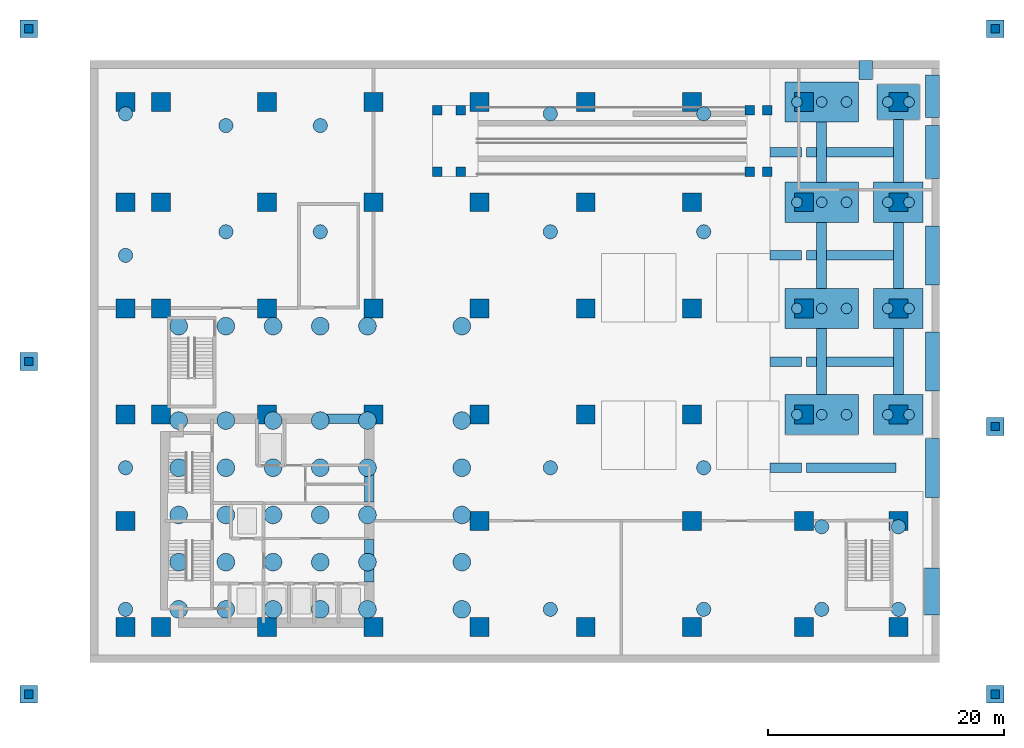
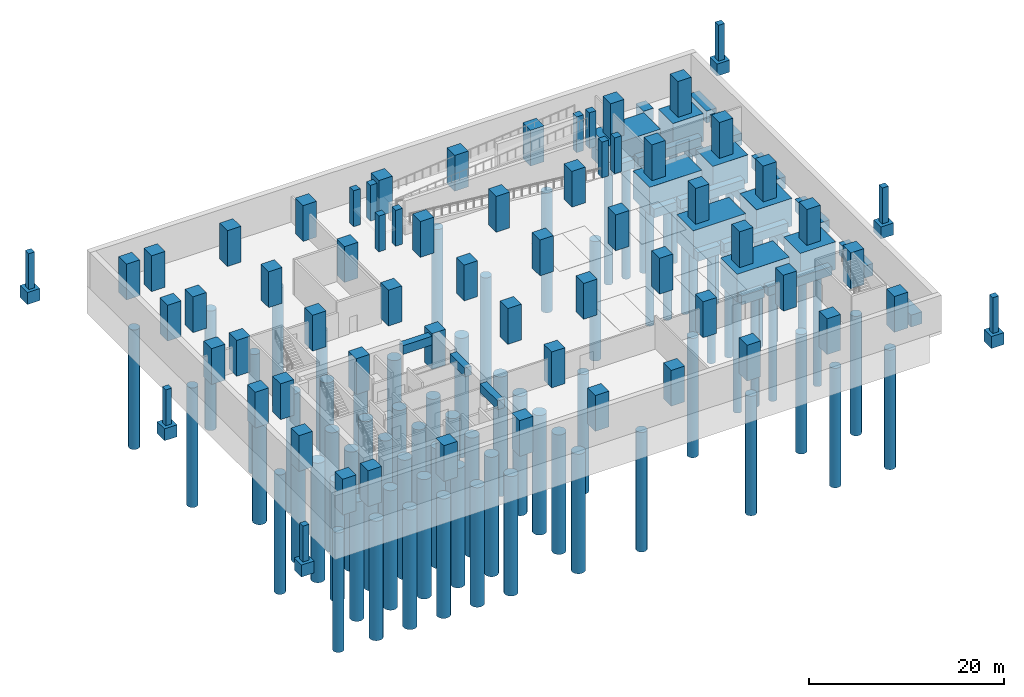
# One storey, part 1 of 10: 76 piles, 64 columns, 27 footings, 11 beams.
"""IFC4 building model written with IfcOpenShell, lengths in metres."""

from ifc_helpers import new_model, si_unit, direction, frame, origin, origin_2d, place, context, subcontext, project, spatial, rectangle, circle, extrude, material, layer, layer_set, material_profile, profile_set, type_object, element, save


model = new_model("IFC4")

# Units and contexts
model_context = context("Model", 3, precision=1e-05, world=origin(), true_north=direction((0.0, 1.0)))
body_context = subcontext(model_context, "Body", "Model", "MODEL_VIEW")
ifc_project = project(units=[si_unit("LENGTHUNIT", "METRE"), si_unit("AREAUNIT", "SQUARE_METRE"), si_unit("VOLUMEUNIT", "CUBIC_METRE"), si_unit("PLANEANGLEUNIT", "RADIAN"), si_unit("MASSUNIT", "GRAM", prefix="KILO")], contexts=[model_context])

# Site, building, storey
site_placement = place(None, origin())
site = spatial("IfcSite", under=ifc_project, at=site_placement, CompositionType="ELEMENT")
building_placement = place(site_placement, origin())
building = spatial("IfcBuilding", under=site, at=building_placement, Name="Mawjdan Bourse Tower", CompositionType="ELEMENT")
storey_placement = place(building_placement, frame((0.0, 0.0, -13.5)))
storey = spatial("IfcBuildingStorey", under=building, at=storey_placement, Name="B03", CompositionType="ELEMENT", Elevation=-13.5)

# Footings
ifc_material_1 = material(Name="Concrete C60/75", Category="concrete")
ifc_layer_1 = layer(ifc_material_1, 1.14990234375)
ifc_layer_set_1 = layer_set([ifc_layer_1], Name="Concrete C60/75")
footing_type_1 = type_object("IfcFootingType", Name="FTG-GB-850X1150", PredefinedType="FOOTING_BEAM", material=ifc_layer_set_1)
for number, where, z_axis, x_axis, name in (
    (1, (62.0, 25.5, -3.449951171875), (0.0, 0.0, 1.0), (1.0, 0.0, 0.0), "Basement Ground Tie Beam GB-01"),
    (2, (62.0, 34.5, -3.449951171875), (0.0, 0.0, 1.0), (1.0, 0.0, 0.0), "Basement Ground Tie Beam GB-02"),
):
    element("IfcFooting", number, at=place(storey_placement, frame(where, z_axis=z_axis, x_axis=x_axis)), inside=storey, type_object=footing_type_1, Name=name, PredefinedType="FOOTING_BEAM", context=body_context, shape_type="SweptSolid", body=[
        extrude(rectangle(XDim=0.85009765625, YDim=5.610107421875, at=origin_2d()), origin(), (0.0, 0.0, 1.0), 1.14990234375),
    ])
footing_1_placement = place(storey_placement, frame((62.0, 43.25, -3.449951171875), z_axis=(0.0, 0.0, 1.0), x_axis=(1.0, 0.0, 0.0)))
element("IfcFooting", 3, at=footing_1_placement, inside=storey, type_object=footing_type_1, Name="Basement Ground Tie Beam GB-03", PredefinedType="FOOTING_BEAM", context=body_context, shape_type="SweptSolid", body=[
    extrude(rectangle(XDim=0.85009765625, YDim=5.110107421875, at=origin_2d()), origin(), (0.0, 0.0, 1.0), 1.14990234375),
])
for number, where, z_axis, x_axis, name in (
    (4, (68.5, 25.5, -3.449951171875), (0.0, 0.0, 1.0), (1.0, 0.0, 0.0), "Basement Ground Tie Beam GB-04"),
    (5, (68.5, 34.5, -3.449951171875), (0.0, 0.0, 1.0), (1.0, 0.0, 0.0), "Basement Ground Tie Beam GB-05"),
):
    element("IfcFooting", number, at=place(storey_placement, frame(where, z_axis=z_axis, x_axis=x_axis)), inside=storey, type_object=footing_type_1, Name=name, PredefinedType="FOOTING_BEAM", context=body_context, shape_type="SweptSolid", body=[
        extrude(rectangle(XDim=0.85009765625, YDim=5.610107421875, at=origin_2d()), origin(), (0.0, 0.0, 1.0), 1.14990234375),
    ])
footing_2_placement = place(storey_placement, frame((68.5, 43.35009765625, -3.449951171875), z_axis=(0.0, 0.0, 1.0), x_axis=(1.0, 0.0, 0.0)))
element("IfcFooting", 6, at=footing_2_placement, inside=storey, type_object=footing_type_1, Name="Basement Ground Tie Beam GB-06", PredefinedType="FOOTING_BEAM", context=body_context, shape_type="SweptSolid", body=[
    extrude(rectangle(XDim=0.85009765625, YDim=5.31005859375, at=origin_2d()), origin(), (0.0, 0.0, 1.0), 1.14990234375),
])
ifc_layer_2 = layer(ifc_material_1, 3.5)
ifc_layer_set_2 = layer_set([ifc_layer_2], Name="Concrete C60/75")
footing_type_2 = type_object("IfcFootingType", Name="FTG-PC-3600X3000", PredefinedType="PILE_CAP", material=ifc_layer_set_2)
footing_3_placement = place(storey_placement, frame((68.5, 47.5, -3.5), z_axis=(0.0, 0.0, 1.0), x_axis=(1.0, 0.0, 0.0)))
element("IfcFooting", 7, at=footing_3_placement, inside=storey, type_object=footing_type_2, Name="East Podium Pile Cap PC-08", PredefinedType="PILE_CAP", context=body_context, shape_type="SweptSolid", body=[
    extrude(rectangle(XDim=3.60009765625, YDim=3.0, at=origin_2d()), origin(), (0.0, 0.0, 1.0), 3.5),
])
ifc_layer_3 = layer(ifc_material_1, 3.5)
ifc_layer_set_3 = layer_set([ifc_layer_3], Name="Concrete C60/75")
footing_type_3 = type_object("IfcFootingType", Name="FTG-PC-4200X3400", PredefinedType="PILE_CAP", material=ifc_layer_set_3)
for number, where, z_axis, x_axis, name in (
    (8, (62.0, 21.0, -3.5), (0.0, 0.0, 1.0), (1.0, 0.0, 0.0), "East Podium Pile Cap PC-01"),
    (9, (62.0, 30.0, -3.5), (0.0, 0.0, 1.0), (1.0, 0.0, 0.0), "East Podium Pile Cap PC-02"),
    (10, (62.0, 39.0, -3.5), (0.0, 0.0, 1.0), (1.0, 0.0, 0.0), "East Podium Pile Cap PC-03"),
    (11, (62.0, 47.5, -3.5), (0.0, 0.0, 1.0), (1.0, 0.0, 0.0), "East Podium Pile Cap PC-04"),
):
    element("IfcFooting", number, at=place(storey_placement, frame(where, z_axis=z_axis, x_axis=x_axis)), inside=storey, type_object=footing_type_3, Name=name, PredefinedType="PILE_CAP", context=body_context, shape_type="SweptSolid", body=[
        extrude(rectangle(XDim=6.199951171875, YDim=3.39990234375, at=origin_2d()), origin(), (0.0, 0.0, 1.0), 3.5),
    ])
for number, where, z_axis, x_axis, name in (
    (12, (68.5, 21.0, -3.5), (0.0, 0.0, 1.0), (1.0, 0.0, 0.0), "East Podium Pile Cap PC-05"),
    (13, (68.5, 30.0, -3.5), (0.0, 0.0, 1.0), (1.0, 0.0, 0.0), "East Podium Pile Cap PC-06"),
    (14, (68.5, 39.0, -3.5), (0.0, 0.0, 1.0), (1.0, 0.0, 0.0), "East Podium Pile Cap PC-07"),
):
    element("IfcFooting", number, at=place(storey_placement, frame(where, z_axis=z_axis, x_axis=x_axis)), inside=storey, type_object=footing_type_3, Name=name, PredefinedType="PILE_CAP", context=body_context, shape_type="SweptSolid", body=[
        extrude(rectangle(XDim=4.199951171875, YDim=3.39990234375, at=origin_2d()), origin(), (0.0, 0.0, 1.0), 3.5),
    ])
ifc_layer_4 = layer(ifc_material_1, 1.5)
ifc_layer_set_4 = layer_set([ifc_layer_4], Name="Concrete C60/75")
footing_type_4 = type_object("IfcFootingType", Name="FTG-SF-1600X1500", PredefinedType="STRIP_FOOTING", material=ifc_layer_set_4)
footing_4_placement = place(storey_placement, frame((71.35009765625, 6.0, -1.5), z_axis=(0.0, 0.0, 1.0), x_axis=(1.0, 0.0, 0.0)))
element("IfcFooting", 15, at=footing_4_placement, inside=storey, type_object=footing_type_4, Name="Perimeter Strip Footing SF-01", PredefinedType="STRIP_FOOTING", context=body_context, shape_type="SweptSolid", body=[
    extrude(rectangle(XDim=1.300048828125, YDim=4.0, at=origin_2d()), origin(), (0.0, 0.0, 1.0), 1.5),
])
for number, where, z_axis, x_axis, name in (
    (16, (71.39990234375, 16.5, -1.5), (0.0, 0.0, 1.0), (1.0, 0.0, 0.0), "Perimeter Strip Footing SF-02"),
    (17, (71.39990234375, 25.5, -1.5), (0.0, 0.0, 1.0), (1.0, 0.0, 0.0), "Perimeter Strip Footing SF-03"),
    (18, (71.39990234375, 34.5, -1.5), (0.0, 0.0, 1.0), (1.0, 0.0, 0.0), "Perimeter Strip Footing SF-04"),
):
    element("IfcFooting", number, at=place(storey_placement, frame(where, z_axis=z_axis, x_axis=x_axis)), inside=storey, type_object=footing_type_4, Name=name, PredefinedType="STRIP_FOOTING", context=body_context, shape_type="SweptSolid", body=[
        extrude(rectangle(XDim=1.199951171875, YDim=5.0, at=origin_2d()), origin(), (0.0, 0.0, 1.0), 1.5),
    ])
footing_5_placement = place(storey_placement, frame((71.39990234375, 43.25, -1.5), z_axis=(0.0, 0.0, 1.0), x_axis=(1.0, 0.0, 0.0)))
element("IfcFooting", 19, at=footing_5_placement, inside=storey, type_object=footing_type_4, Name="Perimeter Strip Footing SF-05", PredefinedType="STRIP_FOOTING", context=body_context, shape_type="SweptSolid", body=[
    extrude(rectangle(XDim=1.199951171875, YDim=4.5, at=origin_2d()), origin(), (0.0, 0.0, 1.0), 1.5),
])
footing_6_placement = place(storey_placement, frame((65.75, 50.199951171875, -1.5), z_axis=(0.0, 0.0, 1.0), x_axis=(1.0, 0.0, 0.0)))
element("IfcFooting", 20, at=footing_6_placement, inside=storey, type_object=footing_type_4, Name="Perimeter Strip Footing SF-06", PredefinedType="STRIP_FOOTING", context=body_context, shape_type="SweptSolid", body=[
    extrude(rectangle(XDim=1.14990234375, YDim=1.60009765625, at=origin_2d()), origin(), (0.0, 0.0, 1.0), 1.5),
])
footing_7_placement = place(storey_placement, frame((71.39990234375, 48.0, -1.5), z_axis=(0.0, 0.0, 1.0), x_axis=(1.0, 0.0, 0.0)))
element("IfcFooting", 21, at=footing_7_placement, inside=storey, type_object=footing_type_4, Name="Perimeter Strip Footing SF-07", PredefinedType="STRIP_FOOTING", context=body_context, shape_type="SweptSolid", body=[
    extrude(rectangle(XDim=1.199951171875, YDim=3.60009765625, at=origin_2d()), origin(), (0.0, 0.0, 1.0), 1.5),
])
for number, where, z_axis, x_axis, name in (
    (22, (-5.199951171875, -2.699951171875, -1.5), (0.0, 0.0, 1.0), (1.0, 0.0, 0.0), "Perimeter Strip Footing SF-08"),
    (23, (-5.199951171875, 25.5, -1.5), (0.0, 0.0, 1.0), (1.0, 0.0, 0.0), "Perimeter Strip Footing SF-09"),
    (24, (-5.199951171875, 53.699951171875, -1.5), (0.0, 0.0, 1.0), (1.0, 0.0, 0.0), "Perimeter Strip Footing SF-10"),
    (25, (76.699951171875, -2.699951171875, -1.5), (0.0, 0.0, 1.0), (1.0, 0.0, 0.0), "Perimeter Strip Footing SF-11"),
    (26, (76.699951171875, 20.0, -1.5), (0.0, 0.0, 1.0), (1.0, 0.0, 0.0), "Perimeter Strip Footing SF-12"),
    (27, (76.699951171875, 53.699951171875, -1.5), (0.0, 0.0, 1.0), (1.0, 0.0, 0.0), "Perimeter Strip Footing SF-13"),
):
    element("IfcFooting", number, at=place(storey_placement, frame(where, z_axis=z_axis, x_axis=x_axis)), inside=storey, type_object=footing_type_4, Name=name, PredefinedType="STRIP_FOOTING", context=body_context, shape_type="SweptSolid", body=[
        extrude(rectangle(XDim=1.5, YDim=1.5, at=origin_2d()), origin(), (0.0, 0.0, 1.0), 1.5),
    ])

# Piles
ifc_material_profile_1 = material_profile(ifc_material_1, circle(Radius=0.60009765625, at=origin_2d()), Name="PILE-D1200")
ifc_profile_set_1 = profile_set([ifc_material_profile_1], Name="Concrete C60/75")
pile_type_1 = type_object("IfcPileType", Name="PILE-D1200", PredefinedType="BORED", material=ifc_profile_set_1)
for number, where, z_axis, x_axis, name in (
    (28, (3.0, 4.5, -3.5), (0.0, 0.0, -1.0), (1.0, 0.0, 0.0), "Podium Bored Pile P-057"),
    (29, (3.0, 16.5, -3.5), (0.0, 0.0, -1.0), (1.0, 0.0, 0.0), "Podium Bored Pile P-058"),
    (30, (3.0, 34.5, -3.5), (0.0, 0.0, -1.0), (1.0, 0.0, 0.0), "Podium Bored Pile P-059"),
    (31, (3.0, 46.5, -3.5), (0.0, 0.0, -1.0), (1.0, 0.0, 0.0), "Podium Bored Pile P-060"),
    (32, (11.5, 36.5, -3.5), (0.0, 0.0, -1.0), (1.0, 0.0, 0.0), "Podium Bored Pile P-061"),
    (33, (19.5, 36.5, -3.5), (0.0, 0.0, -1.0), (1.0, 0.0, 0.0), "Podium Bored Pile P-062"),
    (34, (11.5, 45.5, -3.5), (0.0, 0.0, -1.0), (1.0, 0.0, 0.0), "Podium Bored Pile P-063"),
    (35, (19.5, 45.5, -3.5), (0.0, 0.0, -1.0), (1.0, 0.0, 0.0), "Podium Bored Pile P-064"),
    (36, (39.0, 4.5, -3.5), (0.0, 0.0, -1.0), (1.0, 0.0, 0.0), "Podium Bored Pile P-065"),
    (37, (39.0, 16.5, -3.5), (0.0, 0.0, -1.0), (1.0, 0.0, 0.0), "Podium Bored Pile P-066"),
    (38, (39.0, 36.5, -3.5), (0.0, 0.0, -1.0), (1.0, 0.0, 0.0), "Podium Bored Pile P-067"),
    (39, (39.0, 46.5, -3.5), (0.0, 0.0, -1.0), (1.0, 0.0, 0.0), "Podium Bored Pile P-068"),
    (40, (52.0, 4.5, -3.5), (0.0, 0.0, -1.0), (1.0, 0.0, 0.0), "Podium Bored Pile P-069"),
    (41, (52.0, 16.5, -3.5), (0.0, 0.0, -1.0), (1.0, 0.0, 0.0), "Podium Bored Pile P-070"),
    (42, (52.0, 36.5, -3.5), (0.0, 0.0, -1.0), (1.0, 0.0, 0.0), "Podium Bored Pile P-071"),
    (43, (52.0, 46.5, -3.5), (0.0, 0.0, -1.0), (1.0, 0.0, 0.0), "Podium Bored Pile P-072"),
    (44, (62.0, 4.5, -3.5), (0.0, 0.0, -1.0), (1.0, 0.0, 0.0), "Podium Bored Pile P-073"),
    (45, (68.5, 4.5, -3.5), (0.0, 0.0, -1.0), (1.0, 0.0, 0.0), "Podium Bored Pile P-074"),
    (46, (62.0, 11.5, -3.5), (0.0, 0.0, -1.0), (1.0, 0.0, 0.0), "Podium Bored Pile P-075"),
    (47, (68.5, 11.5, -3.5), (0.0, 0.0, -1.0), (1.0, 0.0, 0.0), "Podium Bored Pile P-076"),
):
    element("IfcPile", number, at=place(storey_placement, frame(where, z_axis=z_axis, x_axis=x_axis)), inside=storey, type_object=pile_type_1, Name=name, PredefinedType="BORED", context=body_context, shape_type="SweptSolid", body=[
        extrude(circle(Radius=0.60009765625, at=origin_2d()), origin(), (0.0, 0.0, 1.0), 15.0),
    ])
ifc_material_profile_2 = material_profile(ifc_material_1, circle(Radius=0.75, at=origin_2d()), Name="PILE-D1500")
ifc_profile_set_2 = profile_set([ifc_material_profile_2], Name="Concrete C60/75")
pile_type_2 = type_object("IfcPileType", Name="PILE-D1500", PredefinedType="BORED", material=ifc_profile_set_2)
for number, where, z_axis, x_axis, name in (
    (48, (7.5, 4.5, -3.5), (0.0, 0.0, -1.0), (1.0, 0.0, 0.0), "Core Bored Pile P-021"),
    (49, (7.5, 8.5, -3.5), (0.0, 0.0, -1.0), (1.0, 0.0, 0.0), "Core Bored Pile P-022"),
    (50, (7.5, 12.5, -3.5), (0.0, 0.0, -1.0), (1.0, 0.0, 0.0), "Core Bored Pile P-023"),
    (51, (7.5, 16.5, -3.5), (0.0, 0.0, -1.0), (1.0, 0.0, 0.0), "Core Bored Pile P-024"),
    (52, (7.5, 20.5, -3.5), (0.0, 0.0, -1.0), (1.0, 0.0, 0.0), "Core Bored Pile P-025"),
    (53, (7.5, 28.5, -3.5), (0.0, 0.0, -1.0), (1.0, 0.0, 0.0), "Core Bored Pile P-026"),
    (54, (11.5, 4.5, -3.5), (0.0, 0.0, -1.0), (1.0, 0.0, 0.0), "Core Bored Pile P-027"),
    (55, (11.5, 8.5, -3.5), (0.0, 0.0, -1.0), (1.0, 0.0, 0.0), "Core Bored Pile P-028"),
    (56, (11.5, 12.5, -3.5), (0.0, 0.0, -1.0), (1.0, 0.0, 0.0), "Core Bored Pile P-029"),
    (57, (11.5, 16.5, -3.5), (0.0, 0.0, -1.0), (1.0, 0.0, 0.0), "Core Bored Pile P-030"),
    (58, (11.5, 20.5, -3.5), (0.0, 0.0, -1.0), (1.0, 0.0, 0.0), "Core Bored Pile P-031"),
    (59, (11.5, 28.5, -3.5), (0.0, 0.0, -1.0), (1.0, 0.0, 0.0), "Core Bored Pile P-032"),
    (60, (15.5, 4.5, -3.5), (0.0, 0.0, -1.0), (1.0, 0.0, 0.0), "Core Bored Pile P-033"),
    (61, (15.5, 8.5, -3.5), (0.0, 0.0, -1.0), (1.0, 0.0, 0.0), "Core Bored Pile P-034"),
    (62, (15.5, 12.5, -3.5), (0.0, 0.0, -1.0), (1.0, 0.0, 0.0), "Core Bored Pile P-035"),
    (63, (15.5, 16.5, -3.5), (0.0, 0.0, -1.0), (1.0, 0.0, 0.0), "Core Bored Pile P-036"),
    (64, (15.5, 20.5, -3.5), (0.0, 0.0, -1.0), (1.0, 0.0, 0.0), "Core Bored Pile P-037"),
    (65, (15.5, 28.5, -3.5), (0.0, 0.0, -1.0), (1.0, 0.0, 0.0), "Core Bored Pile P-038"),
    (66, (19.5, 4.5, -3.5), (0.0, 0.0, -1.0), (1.0, 0.0, 0.0), "Core Bored Pile P-039"),
    (67, (19.5, 8.5, -3.5), (0.0, 0.0, -1.0), (1.0, 0.0, 0.0), "Core Bored Pile P-040"),
    (68, (19.5, 12.5, -3.5), (0.0, 0.0, -1.0), (1.0, 0.0, 0.0), "Core Bored Pile P-041"),
    (69, (19.5, 16.5, -3.5), (0.0, 0.0, -1.0), (1.0, 0.0, 0.0), "Core Bored Pile P-042"),
    (70, (19.5, 20.5, -3.5), (0.0, 0.0, -1.0), (1.0, 0.0, 0.0), "Core Bored Pile P-043"),
    (71, (19.5, 28.5, -3.5), (0.0, 0.0, -1.0), (1.0, 0.0, 0.0), "Core Bored Pile P-044"),
    (72, (23.5, 4.5, -3.5), (0.0, 0.0, -1.0), (1.0, 0.0, 0.0), "Core Bored Pile P-045"),
    (73, (23.5, 8.5, -3.5), (0.0, 0.0, -1.0), (1.0, 0.0, 0.0), "Core Bored Pile P-046"),
    (74, (23.5, 12.5, -3.5), (0.0, 0.0, -1.0), (1.0, 0.0, 0.0), "Core Bored Pile P-047"),
    (75, (23.5, 16.5, -3.5), (0.0, 0.0, -1.0), (1.0, 0.0, 0.0), "Core Bored Pile P-048"),
    (76, (23.5, 20.5, -3.5), (0.0, 0.0, -1.0), (1.0, 0.0, 0.0), "Core Bored Pile P-049"),
    (77, (23.5, 28.5, -3.5), (0.0, 0.0, -1.0), (1.0, 0.0, 0.0), "Core Bored Pile P-050"),
    (78, (31.5, 4.5, -3.5), (0.0, 0.0, -1.0), (1.0, 0.0, 0.0), "Core Bored Pile P-051"),
    (79, (31.5, 8.5, -3.5), (0.0, 0.0, -1.0), (1.0, 0.0, 0.0), "Core Bored Pile P-052"),
    (80, (31.5, 12.5, -3.5), (0.0, 0.0, -1.0), (1.0, 0.0, 0.0), "Core Bored Pile P-053"),
    (81, (31.5, 16.5, -3.5), (0.0, 0.0, -1.0), (1.0, 0.0, 0.0), "Core Bored Pile P-054"),
    (82, (31.5, 20.5, -3.5), (0.0, 0.0, -1.0), (1.0, 0.0, 0.0), "Core Bored Pile P-055"),
    (83, (31.5, 28.5, -3.5), (0.0, 0.0, -1.0), (1.0, 0.0, 0.0), "Core Bored Pile P-056"),
):
    element("IfcPile", number, at=place(storey_placement, frame(where, z_axis=z_axis, x_axis=x_axis)), inside=storey, type_object=pile_type_2, Name=name, PredefinedType="BORED", context=body_context, shape_type="SweptSolid", body=[
        extrude(circle(Radius=0.75, at=origin_2d()), origin(), (0.0, 0.0, 1.0), 15.0),
    ])
ifc_material_profile_3 = material_profile(ifc_material_1, circle(Radius=0.449951171875, at=origin_2d()), Name="PILE-D900")
ifc_profile_set_3 = profile_set([ifc_material_profile_3], Name="Concrete C60/75")
pile_type_3 = type_object("IfcPileType", Name="PILE-D900", PredefinedType="BORED", material=ifc_profile_set_3)
for number, where, z_axis, x_axis, name in (
    (84, (59.89990234375, 21.0, -3.5), (0.0, 0.0, -1.0), (1.0, 0.0, 0.0), "Bored Pile P-001"),
    (85, (62.0, 21.0, -3.5), (0.0, 0.0, -1.0), (1.0, 0.0, 0.0), "Bored Pile P-002"),
    (86, (64.10009765625, 21.0, -3.5), (0.0, 0.0, -1.0), (1.0, 0.0, 0.0), "Bored Pile P-003"),
    (87, (59.89990234375, 30.0, -3.5), (0.0, 0.0, -1.0), (1.0, 0.0, 0.0), "Bored Pile P-004"),
    (88, (62.0, 30.0, -3.5), (0.0, 0.0, -1.0), (1.0, 0.0, 0.0), "Bored Pile P-005"),
    (89, (64.10009765625, 30.0, -3.5), (0.0, 0.0, -1.0), (1.0, 0.0, 0.0), "Bored Pile P-006"),
    (90, (59.89990234375, 39.0, -3.5), (0.0, 0.0, -1.0), (1.0, 0.0, 0.0), "Bored Pile P-007"),
    (91, (62.0, 39.0, -3.5), (0.0, 0.0, -1.0), (1.0, 0.0, 0.0), "Bored Pile P-008"),
    (92, (64.10009765625, 39.0, -3.5), (0.0, 0.0, -1.0), (1.0, 0.0, 0.0), "Bored Pile P-009"),
    (93, (59.89990234375, 47.5, -3.5), (0.0, 0.0, -1.0), (1.0, 0.0, 0.0), "Bored Pile P-010"),
    (94, (62.0, 47.5, -3.5), (0.0, 0.0, -1.0), (1.0, 0.0, 0.0), "Bored Pile P-011"),
    (95, (64.10009765625, 47.5, -3.5), (0.0, 0.0, -1.0), (1.0, 0.0, 0.0), "Bored Pile P-012"),
    (96, (67.60009765625, 21.0, -3.5), (0.0, 0.0, -1.0), (1.0, 0.0, 0.0), "Bored Pile P-013"),
    (97, (69.39990234375, 21.0, -3.5), (0.0, 0.0, -1.0), (1.0, 0.0, 0.0), "Bored Pile P-014"),
    (98, (67.60009765625, 30.0, -3.5), (0.0, 0.0, -1.0), (1.0, 0.0, 0.0), "Bored Pile P-015"),
    (99, (69.39990234375, 30.0, -3.5), (0.0, 0.0, -1.0), (1.0, 0.0, 0.0), "Bored Pile P-016"),
    (100, (67.60009765625, 39.0, -3.5), (0.0, 0.0, -1.0), (1.0, 0.0, 0.0), "Bored Pile P-017"),
    (101, (69.39990234375, 39.0, -3.5), (0.0, 0.0, -1.0), (1.0, 0.0, 0.0), "Bored Pile P-018"),
    (102, (67.60009765625, 47.5, -3.5), (0.0, 0.0, -1.0), (1.0, 0.0, 0.0), "Bored Pile P-019"),
    (103, (69.39990234375, 47.5, -3.5), (0.0, 0.0, -1.0), (1.0, 0.0, 0.0), "Bored Pile P-020"),
):
    element("IfcPile", number, at=place(storey_placement, frame(where, z_axis=z_axis, x_axis=x_axis)), inside=storey, type_object=pile_type_3, Name=name, PredefinedType="BORED", context=body_context, shape_type="SweptSolid", body=[
        extrude(circle(Radius=0.449951171875, at=origin_2d()), origin(), (0.0, 0.0, 1.0), 15.0),
    ])

# Columns
ifc_material_2 = material(Name="Concrete C80/95", Category="concrete")
ifc_material_profile_4 = material_profile(ifc_material_2, rectangle(XDim=1.60009765625, YDim=1.60009765625, at=origin_2d()), Name="RC1600X1600")
ifc_profile_set_4 = profile_set([ifc_material_profile_4], Name="Concrete C80/95")
column_type_1 = type_object("IfcColumnType", Name="COL-RC1600X1600", PredefinedType="COLUMN", material=ifc_profile_set_4)
for number, where, z_axis, x_axis, name in (
    (104, (3.0, 3.0, 0.0), (0.0, 0.0, 1.0), (1.0, 0.0, 0.0), "B03 Structural Column C-X30-Y30"),
    (105, (3.0, 12.0, 0.0), (0.0, 0.0, 1.0), (1.0, 0.0, 0.0), "B03 Structural Column C-X30-Y120"),
    (106, (3.0, 21.0, 0.0), (0.0, 0.0, 1.0), (1.0, 0.0, 0.0), "B03 Structural Column C-X30-Y210"),
    (107, (3.0, 30.0, 0.0), (0.0, 0.0, 1.0), (1.0, 0.0, 0.0), "B03 Structural Column C-X30-Y300"),
    (108, (3.0, 39.0, 0.0), (0.0, 0.0, 1.0), (1.0, 0.0, 0.0), "B03 Structural Column C-X30-Y390"),
    (109, (3.0, 47.5, 0.0), (0.0, 0.0, 1.0), (1.0, 0.0, 0.0), "B03 Structural Column C-X30-Y475"),
    (110, (6.0, 3.0, 0.0), (0.0, 0.0, 1.0), (1.0, 0.0, 0.0), "B03 Structural Column C-X60-Y30"),
    (111, (6.0, 21.0, 0.0), (0.0, 0.0, 1.0), (1.0, 0.0, 0.0), "B03 Structural Column C-X60-Y210"),
    (112, (6.0, 30.0, 0.0), (0.0, 0.0, 1.0), (1.0, 0.0, 0.0), "B03 Structural Column C-X60-Y300"),
    (113, (6.0, 39.0, 0.0), (0.0, 0.0, 1.0), (1.0, 0.0, 0.0), "B03 Structural Column C-X60-Y390"),
    (114, (6.0, 47.5, 0.0), (0.0, 0.0, 1.0), (1.0, 0.0, 0.0), "B03 Structural Column C-X60-Y475"),
    (115, (15.0, 3.0, 0.0), (0.0, 0.0, 1.0), (1.0, 0.0, 0.0), "B03 Structural Column C-X150-Y30"),
    (116, (15.0, 21.0, 0.0), (0.0, 0.0, 1.0), (1.0, 0.0, 0.0), "B03 Structural Column C-X150-Y210"),
    (117, (15.0, 30.0, 0.0), (0.0, 0.0, 1.0), (1.0, 0.0, 0.0), "B03 Structural Column C-X150-Y300"),
    (118, (15.0, 39.0, 0.0), (0.0, 0.0, 1.0), (1.0, 0.0, 0.0), "B03 Structural Column C-X150-Y390"),
    (119, (15.0, 47.5, 0.0), (0.0, 0.0, 1.0), (1.0, 0.0, 0.0), "B03 Structural Column C-X150-Y475"),
    (120, (24.0, 3.0, 0.0), (0.0, 0.0, 1.0), (1.0, 0.0, 0.0), "B03 Structural Column C-X240-Y30"),
    (121, (24.0, 21.0, 0.0), (0.0, 0.0, 1.0), (1.0, 0.0, 0.0), "B03 Structural Column C-X240-Y210"),
    (122, (24.0, 30.0, 0.0), (0.0, 0.0, 1.0), (1.0, 0.0, 0.0), "B03 Structural Column C-X240-Y300"),
    (123, (24.0, 39.0, 0.0), (0.0, 0.0, 1.0), (1.0, 0.0, 0.0), "B03 Structural Column C-X240-Y390"),
    (124, (24.0, 47.5, 0.0), (0.0, 0.0, 1.0), (1.0, 0.0, 0.0), "B03 Structural Column C-X240-Y475"),
    (125, (33.0, 3.0, 0.0), (0.0, 0.0, 1.0), (1.0, 0.0, 0.0), "B03 Structural Column C-X330-Y30"),
    (126, (33.0, 12.0, 0.0), (0.0, 0.0, 1.0), (1.0, 0.0, 0.0), "B03 Structural Column C-X330-Y120"),
    (127, (33.0, 21.0, 0.0), (0.0, 0.0, 1.0), (1.0, 0.0, 0.0), "B03 Structural Column C-X330-Y210"),
    (128, (33.0, 30.0, 0.0), (0.0, 0.0, 1.0), (1.0, 0.0, 0.0), "B03 Structural Column C-X330-Y300"),
    (129, (33.0, 39.0, 0.0), (0.0, 0.0, 1.0), (1.0, 0.0, 0.0), "B03 Structural Column C-X330-Y390"),
    (130, (33.0, 47.5, 0.0), (0.0, 0.0, 1.0), (1.0, 0.0, 0.0), "B03 Structural Column C-X330-Y475"),
    (131, (42.0, 3.0, 0.0), (0.0, 0.0, 1.0), (1.0, 0.0, 0.0), "B03 Structural Column C-X420-Y30"),
    (132, (42.0, 21.0, 0.0), (0.0, 0.0, 1.0), (1.0, 0.0, 0.0), "B03 Structural Column C-X420-Y210"),
    (133, (42.0, 30.0, 0.0), (0.0, 0.0, 1.0), (1.0, 0.0, 0.0), "B03 Structural Column C-X420-Y300"),
    (134, (42.0, 39.0, 0.0), (0.0, 0.0, 1.0), (1.0, 0.0, 0.0), "B03 Structural Column C-X420-Y390"),
    (135, (42.0, 47.5, 0.0), (0.0, 0.0, 1.0), (1.0, 0.0, 0.0), "B03 Structural Column C-X420-Y475"),
    (136, (51.0, 3.0, 0.0), (0.0, 0.0, 1.0), (1.0, 0.0, 0.0), "B03 Structural Column C-X510-Y30"),
    (137, (51.0, 12.0, 0.0), (0.0, 0.0, 1.0), (1.0, 0.0, 0.0), "B03 Structural Column C-X510-Y120"),
    (138, (51.0, 21.0, 0.0), (0.0, 0.0, 1.0), (1.0, 0.0, 0.0), "B03 Structural Column C-X510-Y210"),
    (139, (51.0, 30.0, 0.0), (0.0, 0.0, 1.0), (1.0, 0.0, 0.0), "B03 Structural Column C-X510-Y300"),
    (140, (51.0, 39.0, 0.0), (0.0, 0.0, 1.0), (1.0, 0.0, 0.0), "B03 Structural Column C-X510-Y390"),
    (141, (51.0, 47.5, 0.0), (0.0, 0.0, 1.0), (1.0, 0.0, 0.0), "B03 Structural Column C-X510-Y475"),
    (142, (60.5, 3.0, 0.0), (0.0, 0.0, 1.0), (1.0, 0.0, 0.0), "B03 Structural Column C-X605-Y30"),
    (143, (60.5, 12.0, 0.0), (0.0, 0.0, 1.0), (1.0, 0.0, 0.0), "B03 Structural Column C-X605-Y120"),
    (144, (60.5, 21.0, 0.0), (0.0, 0.0, 1.0), (1.0, 0.0, 0.0), "B03 Structural Column C-X605-Y210"),
    (145, (60.5, 30.0, 0.0), (0.0, 0.0, 1.0), (1.0, 0.0, 0.0), "B03 Structural Column C-X605-Y300"),
    (146, (60.5, 39.0, 0.0), (0.0, 0.0, 1.0), (1.0, 0.0, 0.0), "B03 Structural Column C-X605-Y390"),
    (147, (60.5, 47.5, 0.0), (0.0, 0.0, 1.0), (1.0, 0.0, 0.0), "B03 Structural Column C-X605-Y475"),
    (148, (68.5, 3.0, 0.0), (0.0, 0.0, 1.0), (1.0, 0.0, 0.0), "B03 Structural Column C-X685-Y30"),
    (149, (68.5, 12.0, 0.0), (0.0, 0.0, 1.0), (1.0, 0.0, 0.0), "B03 Structural Column C-X685-Y120"),
    (150, (68.5, 21.0, 0.0), (0.0, 0.0, 1.0), (1.0, 0.0, 0.0), "B03 Structural Column C-X685-Y210"),
    (151, (68.5, 30.0, 0.0), (0.0, 0.0, 1.0), (1.0, 0.0, 0.0), "B03 Structural Column C-X685-Y300"),
    (152, (68.5, 39.0, 0.0), (0.0, 0.0, 1.0), (1.0, 0.0, 0.0), "B03 Structural Column C-X685-Y390"),
    (153, (68.5, 47.5, 0.0), (0.0, 0.0, 1.0), (1.0, 0.0, 0.0), "B03 Structural Column C-X685-Y475"),
):
    element("IfcColumn", number, at=place(storey_placement, frame(where, z_axis=z_axis, x_axis=x_axis)), inside=storey, type_object=column_type_1, Name=name, PredefinedType="COLUMN", context=body_context, shape_type="SweptSolid", body=[
        extrude(rectangle(XDim=1.60009765625, YDim=1.60009765625, at=origin_2d()), origin(), (0.0, 0.0, 1.0), 4.5),
    ])
ifc_material_profile_5 = material_profile(ifc_material_1, rectangle(XDim=0.699951171875, YDim=0.699951171875, at=origin_2d()), Name="RC700X700")
ifc_profile_set_5 = profile_set([ifc_material_profile_5], Name="Concrete C60/75")
column_type_2 = type_object("IfcColumnType", Name="COL-RC700X700", PredefinedType="COLUMN", material=ifc_profile_set_5)
for number, where, z_axis, x_axis, name in (
    (154, (-5.199951171875, -2.699951171875, 0.0), (0.0, 0.0, 1.0), (1.0, 0.0, 0.0), "B03 Structural Column CP-X52W-Y27S"),
    (155, (-5.199951171875, 25.5, 0.0), (0.0, 0.0, 1.0), (1.0, 0.0, 0.0), "B03 Structural Column CP-X52W-Y255N"),
    (156, (-5.199951171875, 53.699951171875, 0.0), (0.0, 0.0, 1.0), (1.0, 0.0, 0.0), "B03 Structural Column CP-X52W-Y537N"),
    (157, (76.699951171875, -2.699951171875, 0.0), (0.0, 0.0, 1.0), (1.0, 0.0, 0.0), "B03 Structural Column CP-X767E-Y27S"),
    (158, (76.699951171875, 20.0, 0.0), (0.0, 0.0, 1.0), (1.0, 0.0, 0.0), "B03 Structural Column CP-X767E-Y200N"),
    (159, (76.699951171875, 53.699951171875, 0.0), (0.0, 0.0, 1.0), (1.0, 0.0, 0.0), "B03 Structural Column CP-X767E-Y537N"),
):
    element("IfcColumn", number, at=place(storey_placement, frame(where, z_axis=z_axis, x_axis=x_axis)), inside=storey, type_object=column_type_2, Name=name, PredefinedType="COLUMN", context=body_context, shape_type="SweptSolid", body=[
        extrude(rectangle(XDim=0.699951171875, YDim=0.699951171875, at=origin_2d()), origin(), (0.0, 0.0, 1.0), 4.5),
    ])
ifc_material_profile_6 = material_profile(ifc_material_1, rectangle(XDim=0.800048828125, YDim=0.800048828125, at=origin_2d()), Name="RC800X800")
ifc_profile_set_6 = profile_set([ifc_material_profile_6], Name="Concrete C60/75")
column_type_3 = type_object("IfcColumnType", Name="COL-RC800X800", PredefinedType="COLUMN", material=ifc_profile_set_6)
for number, where, z_axis, x_axis, name in (
    (160, (29.39990234375, 41.60009765625, 0.0), (0.0, 0.0, 1.0), (1.0, 0.0, 0.0), "B03 Ramp Support Column 1"),
    (161, (29.39990234375, 46.800048828125, 0.0), (0.0, 0.0, 1.0), (1.0, 0.0, 0.0), "B03 Ramp Support Column 2"),
    (162, (31.39990234375, 41.60009765625, 0.0), (0.0, 0.0, 1.0), (1.0, 0.0, 0.0), "B03 Ramp Support Column 3"),
    (163, (31.39990234375, 46.800048828125, 0.0), (0.0, 0.0, 1.0), (1.0, 0.0, 0.0), "B03 Ramp Support Column 4"),
    (164, (55.89990234375, 41.60009765625, 0.0), (0.0, 0.0, 1.0), (1.0, 0.0, 0.0), "B03 Ramp Support Column 5"),
    (165, (55.89990234375, 46.800048828125, 0.0), (0.0, 0.0, 1.0), (1.0, 0.0, 0.0), "B03 Ramp Support Column 6"),
    (166, (57.39990234375, 41.60009765625, 0.0), (0.0, 0.0, 1.0), (1.0, 0.0, 0.0), "B03 Ramp Support Column 7"),
    (167, (57.39990234375, 46.800048828125, 0.0), (0.0, 0.0, 1.0), (1.0, 0.0, 0.0), "B03 Ramp Support Column 8"),
):
    element("IfcColumn", number, at=place(storey_placement, frame(where, z_axis=z_axis, x_axis=x_axis)), inside=storey, type_object=column_type_3, Name=name, PredefinedType="COLUMN", context=body_context, shape_type="SweptSolid", body=[
        extrude(rectangle(XDim=0.800048828125, YDim=0.800048828125, at=origin_2d()), origin(), (0.0, 0.0, 1.0), 4.5),
    ])

# Beams
ifc_material_3 = material(Name="Concrete C70/85", Category="concrete")
ifc_material_profile_7 = material_profile(ifc_material_3, rectangle(XDim=0.800048828125, YDim=1.10009765625, at=origin_2d()), Name="RCB800X1100")
ifc_profile_set_7 = profile_set([ifc_material_profile_7], Name="Concrete C70/85")
beam_type_1 = type_object("IfcBeamType", Name="LNT-RCB800X1100", PredefinedType="LINTEL", material=ifc_profile_set_7)
beam_1_placement = place(storey_placement, frame((23.64990234375, 6.800048828125, 3.60009765625), z_axis=(0.0, 1.0, 0.0), x_axis=(-1.0, 0.0, 0.0)))
element("IfcBeam", 168, at=beam_1_placement, inside=storey, type_object=beam_type_1, Name="B03 Coupled Core Lintel CB-E1", PredefinedType="LINTEL", context=body_context, shape_type="SweptSolid", body=[
    extrude(rectangle(XDim=0.800048828125, YDim=1.10009765625, at=origin_2d()), origin(), (0.0, 0.0, 1.0), 3.599853515625),
])
beam_2_placement = place(storey_placement, frame((23.64990234375, 13.60009765625, 3.60009765625), z_axis=(0.0, 1.0, 0.0), x_axis=(-1.0, 0.0, 0.0)))
element("IfcBeam", 169, at=beam_2_placement, inside=storey, type_object=beam_type_1, Name="B03 Coupled Core Lintel CB-E2", PredefinedType="LINTEL", context=body_context, shape_type="SweptSolid", body=[
    extrude(rectangle(XDim=0.800048828125, YDim=1.10009765625, at=origin_2d()), origin(), (0.0, 0.0, 1.0), 3.0),
])
beam_3_placement = place(storey_placement, frame((19.800048828125, 20.64990234375, 3.60009765625), z_axis=(1.0, 0.0, 0.0), x_axis=(0.0, 1.0, 0.0)))
element("IfcBeam", 170, at=beam_3_placement, inside=storey, type_object=beam_type_1, Name="B03 Coupled Core Lintel CB-N1", PredefinedType="LINTEL", context=body_context, shape_type="SweptSolid", body=[
    extrude(rectangle(XDim=0.800048828125, YDim=1.10009765625, at=origin_2d()), origin(), (0.0, 0.0, 1.0), 3.849853515625),
])
ifc_material_profile_8 = material_profile(ifc_material_1, rectangle(XDim=0.800048828125, YDim=1.10009765625, at=origin_2d()), Name="RCB800X1100")
ifc_profile_set_8 = profile_set([ifc_material_profile_8], Name="Concrete C60/75")
beam_type_2 = type_object("IfcBeamType", Name="TBM-RCB800X1100", PredefinedType="T_BEAM", material=ifc_profile_set_8)
beam_4_placement = place(storey_placement, frame((57.60009765625, 16.5, -0.89990234375), z_axis=(1.0, 0.0, 0.0), x_axis=(0.0, 1.0, 0.0)))
element("IfcBeam", 171, at=beam_4_placement, inside=storey, type_object=beam_type_2, Name="B03 Basement Mid-Bay T-Beam A1", PredefinedType="T_BEAM", context=body_context, shape_type="SweptSolid", body=[
    extrude(rectangle(XDim=0.800048828125, YDim=1.10009765625, at=origin_2d()), origin(), (0.0, 0.0, 1.0), 2.6904296875),
])
beam_5_placement = place(storey_placement, frame((60.70947265625, 16.5, -0.89990234375), z_axis=(1.0, 0.0, 0.0), x_axis=(0.0, 1.0, 0.0)))
element("IfcBeam", 172, at=beam_5_placement, inside=storey, type_object=beam_type_2, Name="B03 Basement Mid-Bay T-Beam B1", PredefinedType="T_BEAM", context=body_context, shape_type="SweptSolid", body=[
    extrude(rectangle(XDim=0.800048828125, YDim=1.10009765625, at=origin_2d()), origin(), (0.0, 0.0, 1.0), 7.5810546875),
])
beam_6_placement = place(storey_placement, frame((57.60009765625, 25.5, -0.89990234375), z_axis=(1.0, 0.0, 0.0), x_axis=(0.0, 1.0, 0.0)))
element("IfcBeam", 173, at=beam_6_placement, inside=storey, type_object=beam_type_2, Name="B03 Basement Mid-Bay T-Beam A2", PredefinedType="T_BEAM", context=body_context, shape_type="SweptSolid", body=[
    extrude(rectangle(XDim=0.800048828125, YDim=1.10009765625, at=origin_2d()), origin(), (0.0, 0.0, 1.0), 2.6904296875),
])
beam_7_placement = place(storey_placement, frame((60.70947265625, 25.5, -0.89990234375), z_axis=(1.0, 0.0, 0.0), x_axis=(0.0, 1.0, 0.0)))
element("IfcBeam", 174, at=beam_7_placement, inside=storey, type_object=beam_type_2, Name="B03 Basement Mid-Bay T-Beam B2", PredefinedType="T_BEAM", context=body_context, shape_type="SweptSolid", body=[
    extrude(rectangle(XDim=0.800048828125, YDim=1.10009765625, at=origin_2d()), origin(), (0.0, 0.0, 1.0), 7.5810546875),
])
beam_8_placement = place(storey_placement, frame((57.60009765625, 34.5, -0.89990234375), z_axis=(1.0, 0.0, 0.0), x_axis=(0.0, 1.0, 0.0)))
element("IfcBeam", 175, at=beam_8_placement, inside=storey, type_object=beam_type_2, Name="B03 Basement Mid-Bay T-Beam A3", PredefinedType="T_BEAM", context=body_context, shape_type="SweptSolid", body=[
    extrude(rectangle(XDim=0.800048828125, YDim=1.10009765625, at=origin_2d()), origin(), (0.0, 0.0, 1.0), 2.6904296875),
])
beam_9_placement = place(storey_placement, frame((60.70947265625, 34.5, -0.89990234375), z_axis=(1.0, 0.0, 0.0), x_axis=(0.0, 1.0, 0.0)))
element("IfcBeam", 176, at=beam_9_placement, inside=storey, type_object=beam_type_2, Name="B03 Basement Mid-Bay T-Beam B3", PredefinedType="T_BEAM", context=body_context, shape_type="SweptSolid", body=[
    extrude(rectangle(XDim=0.800048828125, YDim=1.10009765625, at=origin_2d()), origin(), (0.0, 0.0, 1.0), 7.5810546875),
])
beam_10_placement = place(storey_placement, frame((57.60009765625, 43.25, -0.89990234375), z_axis=(1.0, 0.0, 0.0), x_axis=(0.0, 1.0, 0.0)))
element("IfcBeam", 177, at=beam_10_placement, inside=storey, type_object=beam_type_2, Name="B03 Basement Mid-Bay T-Beam A4", PredefinedType="T_BEAM", context=body_context, shape_type="SweptSolid", body=[
    extrude(rectangle(XDim=0.800048828125, YDim=1.10009765625, at=origin_2d()), origin(), (0.0, 0.0, 1.0), 2.6904296875),
])
beam_11_placement = place(storey_placement, frame((60.70947265625, 43.25, -0.89990234375), z_axis=(1.0, 0.0, 0.0), x_axis=(0.0, 1.0, 0.0)))
element("IfcBeam", 178, at=beam_11_placement, inside=storey, type_object=beam_type_2, Name="B03 Basement Mid-Bay T-Beam B4", PredefinedType="T_BEAM", context=body_context, shape_type="SweptSolid", body=[
    extrude(rectangle(XDim=0.800048828125, YDim=1.10009765625, at=origin_2d()), origin(), (0.0, 0.0, 1.0), 7.5810546875),
])

save(model, "model.ifc")
